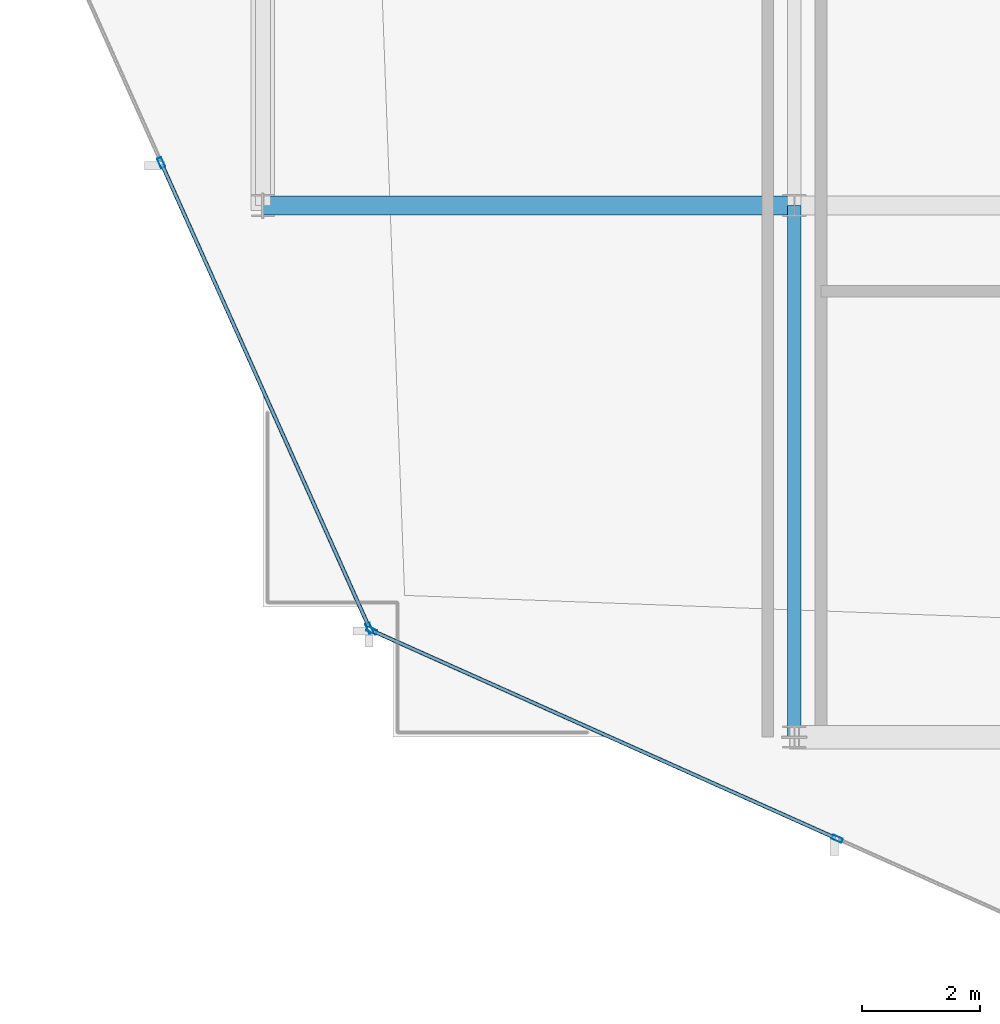
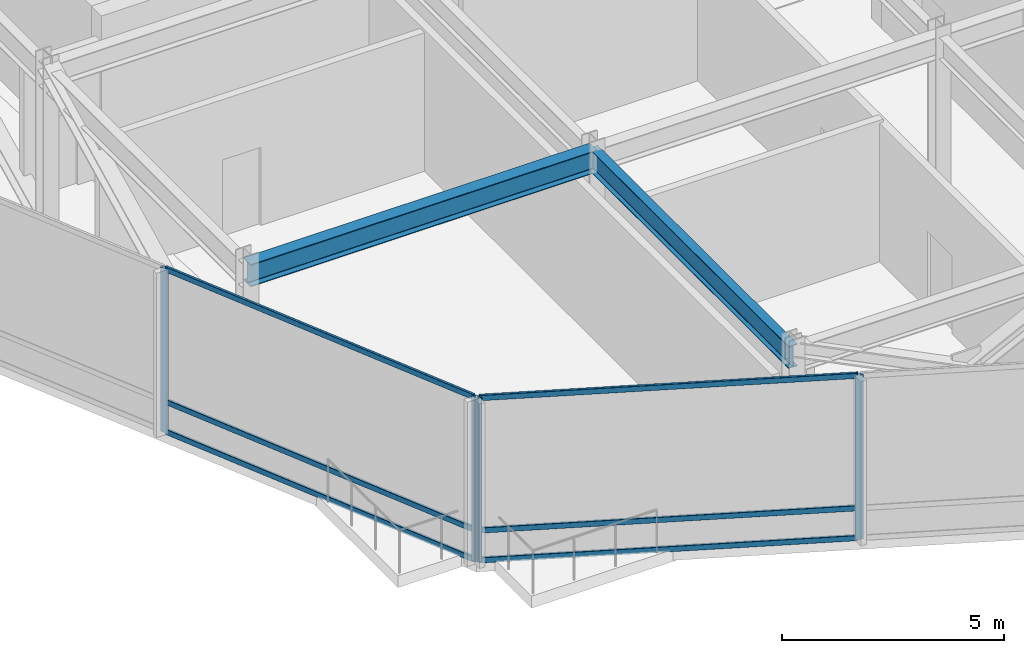
# One storey, part 2 of 23: 10 members, 2 beams, 2 elements without a shape of their own.
"""IFC4 building model written with IfcOpenShell, lengths in metres."""

from ifc_helpers import new_model, si_unit, direction, frame, origin, origin_2d, place, context, subcontext, project, spatial, hollow_rectangle, i_section, extrude, material, layer, layer_set, material_profile, profile_set, type_object, element, aggregate, save


model = new_model("IFC4")

# Units and contexts
model_context = context("Model", 3, precision=1e-05, world=origin(), true_north=direction((0.0, 1.0)))
body_context = subcontext(model_context, "Body", "Model", "MODEL_VIEW")
ifc_project = project(units=[si_unit("LENGTHUNIT", "METRE"), si_unit("AREAUNIT", "SQUARE_METRE"), si_unit("VOLUMEUNIT", "CUBIC_METRE"), si_unit("PLANEANGLEUNIT", "RADIAN"), si_unit("MASSUNIT", "GRAM", prefix="KILO")], contexts=[model_context])

# Site, building, storey
site_placement = place(None, origin())
site = spatial("IfcSite", under=ifc_project, at=site_placement, CompositionType="ELEMENT")
building_placement = place(site_placement, origin())
building = spatial("IfcBuilding", under=site, at=building_placement, Name="Solvaryn Broadcast Tower", CompositionType="ELEMENT")
storey_placement = place(building_placement, frame((0.0, 0.0, 285.199951171875)))
storey = spatial("IfcBuildingStorey", under=building, at=storey_placement, Name="L72", CompositionType="ELEMENT", Elevation=285.199951171875)

# Beams
ifc_material_1 = material(Name="Steel ASTM A992 Grade 50", Category="steel")
ifc_material_profile_1 = material_profile(ifc_material_1, i_section(OverallWidth=0.323974609375, OverallDepth=0.611083984375, WebThickness=0.0126953125, FlangeThickness=0.01904296875, FilletRadius=0.014892578125, at=origin_2d()))
ifc_profile_set_1 = profile_set([ifc_material_profile_1], Name="Steel ASTM A992 Grade 50")
beam_type_1 = type_object("IfcBeamType", Name="BM-B1-W24X104", PredefinedType="BEAM", material=ifc_profile_set_1)
beam_1_placement = place(storey_placement, frame((9.0, 18.0, 4.214599609375), z_axis=(1.0, 0.0, 0.0), x_axis=(0.0, 1.0, 0.0)))
element("IfcBeam", 1, at=beam_1_placement, inside=storey, type_object=beam_type_1, Name="L72 Primary Beam X (9-18 @ Y=18)", PredefinedType="BEAM", context=body_context, shape_type="SweptSolid", body=[
    extrude(i_section(OverallWidth=0.323974609375, OverallDepth=0.611083984375, WebThickness=0.0126953125, FlangeThickness=0.01904296875, FilletRadius=0.014892578125, at=origin_2d()), origin(), (0.0, 0.0, 1.0), 9.0),
])
ifc_material_2 = material(Name="Steel ASTM A992 Grade 50", Category="steel")
ifc_material_profile_2 = material_profile(ifc_material_2, i_section(OverallWidth=0.22802734375, OverallDepth=0.60791015625, WebThickness=0.01123046875, FlangeThickness=0.017333984375, FilletRadius=0.014892578125, at=origin_2d()))
ifc_profile_set_2 = profile_set([ifc_material_profile_2], Name="Steel ASTM A992 Grade 50")
beam_type_2 = type_object("IfcBeamType", Name="BM-B2-W24X76", PredefinedType="BEAM", material=ifc_profile_set_2)
beam_2_placement = place(storey_placement, frame((18.0, 9.0, 4.216064453125), z_axis=(0.0, 1.0, 0.0), x_axis=(-1.0, 0.0, 0.0)))
element("IfcBeam", 2, at=beam_2_placement, inside=storey, type_object=beam_type_2, Name="L72 Primary Beam Y (9-18 @ X=18)", PredefinedType="BEAM", context=body_context, shape_type="SweptSolid", body=[
    extrude(i_section(OverallWidth=0.22802734375, OverallDepth=0.60791015625, WebThickness=0.01123046875, FlangeThickness=0.017333984375, FilletRadius=0.014892578125, at=origin_2d()), origin(), (0.0, 0.0, 1.0), 9.0),
])

# Curtain wall, members
ifc_material_3 = material(Name="Aluminium and Terracotta Unitised Curtain Wall", Category="masonry")
ifc_layer = layer(ifc_material_3, 0.199951171875)
ifc_layer_set = layer_set([ifc_layer], Name="CW-SYS2-LOWMID")
curtain_wall_type = type_object("IfcCurtainWallType", Name="CW-SYS2-LOWMID", PredefinedType="NOTDEFINED", material=ifc_layer_set)
curtain_wall_1_placement = place(storey_placement, origin())
curtain_wall_1 = element("IfcCurtainWall", 3, at=curtain_wall_1_placement, inside=storey, type_object=curtain_wall_type, Name="L72 Curtain Wall DR2", PredefinedType="NOTDEFINED")
ifc_material_4 = material(Name="Anodised Aluminium 6063-T6", Category="aluminium")
ifc_material_profile_3 = material_profile(ifc_material_4, hollow_rectangle(XDim=0.074951171875, YDim=0.179931640625, WallThickness=0.00390625, InnerFilletRadius=0.00390625, OuterFilletRadius=0.008056640625, at=origin_2d()))
ifc_profile_set_3 = profile_set([ifc_material_profile_3], Name="Anodised Aluminium 6063-T6")
member_type_1 = type_object("IfcMemberType", Name="CW-MUL-180", PredefinedType="MULLION", material=ifc_profile_set_3)
member_1_placement = place(storey_placement, frame((7.277587890625, 18.7265625, 0.0), z_axis=(0.0, 0.0, 1.0), x_axis=(0.912773530574, 0.408466010682, 0.0)))
member_1 = element("IfcMember", 4, at=member_1_placement, type_object=member_type_1, Name="CWS2 mullion 2", PredefinedType="MULLION", context=body_context, shape_type="SweptSolid", body=[
    extrude(hollow_rectangle(XDim=0.074951171875, YDim=0.179931640625, WallThickness=0.00390625, InnerFilletRadius=0.00390625, OuterFilletRadius=0.008056640625, at=origin_2d()), origin(), (0.0, 0.0, 1.0), 4.52001953125),
])
member_2_placement = place(storey_placement, frame((10.8046875, 10.844482421875, 0.0), z_axis=(0.0, 0.0, 1.0), x_axis=(0.912773530574, 0.408466010682, 0.0)))
member_2 = element("IfcMember", 5, at=member_2_placement, type_object=member_type_1, Name="CWS2 mullion 3", PredefinedType="MULLION", context=body_context, shape_type="SweptSolid", body=[
    extrude(hollow_rectangle(XDim=0.074951171875, YDim=0.179931640625, WallThickness=0.00390625, InnerFilletRadius=0.00390625, OuterFilletRadius=0.008056640625, at=origin_2d()), origin(), (0.0, 0.0, 1.0), 4.52001953125),
])

curtain_wall_2_placement = place(storey_placement, origin())
curtain_wall_2 = element("IfcCurtainWall", 6, at=curtain_wall_2_placement, inside=storey, type_object=curtain_wall_type, Name="L72 Curtain Wall DR3", PredefinedType="NOTDEFINED")
member_3_placement = place(storey_placement, frame((10.844482421875, 10.8046875, 0.0), z_axis=(0.0, 0.0, 1.0), x_axis=(0.408466010682, 0.912773530574, 0.0)))
member_3 = element("IfcMember", 7, at=member_3_placement, type_object=member_type_1, Name="CWS2 mullion 1", PredefinedType="MULLION", context=body_context, shape_type="SweptSolid", body=[
    extrude(hollow_rectangle(XDim=0.074951171875, YDim=0.179931640625, WallThickness=0.00390625, InnerFilletRadius=0.00390625, OuterFilletRadius=0.008056640625, at=origin_2d()), origin(), (0.0, 0.0, 1.0), 4.52001953125),
])
member_4_placement = place(storey_placement, frame((18.7265625, 7.277587890625, 0.0), z_axis=(0.0, 0.0, 1.0), x_axis=(0.408466010682, 0.912773530574, 0.0)))
member_4 = element("IfcMember", 8, at=member_4_placement, type_object=member_type_1, Name="CWS2 mullion 2", PredefinedType="MULLION", context=body_context, shape_type="SweptSolid", body=[
    extrude(hollow_rectangle(XDim=0.074951171875, YDim=0.179931640625, WallThickness=0.00390625, InnerFilletRadius=0.00390625, OuterFilletRadius=0.008056640625, at=origin_2d()), origin(), (0.0, 0.0, 1.0), 4.52001953125),
])

# Member
ifc_material_5 = material(Name="Anodised Aluminium 6063-T6", Category="aluminium")
ifc_material_profile_4 = material_profile(ifc_material_5, hollow_rectangle(XDim=0.06494140625, YDim=0.14990234375, WallThickness=0.00390625, InnerFilletRadius=0.00390625, OuterFilletRadius=0.008056640625, at=origin_2d()))
ifc_profile_set_4 = profile_set([ifc_material_profile_4], Name="Anodised Aluminium 6063-T6")
member_type_2 = type_object("IfcMemberType", Name="CW-TRN-150", PredefinedType="USERDEFINED", material=ifc_profile_set_4)
member_5_placement = place(storey_placement, frame((7.289794921875, 18.69921875, 0.030029296875), z_axis=(0.408459074172, -0.91277663463, 0.0), x_axis=(0.91277663463, 0.408459074172, 0.0)))
member_5 = element("IfcMember", 9, at=member_5_placement, type_object=member_type_2, Name="CWS2 transom 2.1", ObjectType="TRANSOM", PredefinedType="USERDEFINED", context=body_context, shape_type="SweptSolid", body=[
    extrude(hollow_rectangle(XDim=0.06494140625, YDim=0.14990234375, WallThickness=0.00390625, InnerFilletRadius=0.00390625, OuterFilletRadius=0.008056640625, at=origin_2d()), origin(), (0.0, 0.0, 1.0), 8.575439453125),
])

member_6_placement = place(storey_placement, frame((7.289794921875, 18.69921875, 0.85009765625), z_axis=(0.408459074172, -0.91277663463, 0.0), x_axis=(0.91277663463, 0.408459074172, 0.0)))
member_6 = element("IfcMember", 10, at=member_6_placement, type_object=member_type_2, Name="CWS2 transom 2.2", ObjectType="TRANSOM", PredefinedType="USERDEFINED", context=body_context, shape_type="SweptSolid", body=[
    extrude(hollow_rectangle(XDim=0.06494140625, YDim=0.14990234375, WallThickness=0.00390625, InnerFilletRadius=0.00390625, OuterFilletRadius=0.008056640625, at=origin_2d()), origin(), (0.0, 0.0, 1.0), 8.575439453125),
])

member_7_placement = place(storey_placement, frame((7.289794921875, 18.69921875, 4.489990234375), z_axis=(0.408459074172, -0.91277663463, 0.0), x_axis=(0.91277663463, 0.408459074172, 0.0)))
member_7 = element("IfcMember", 11, at=member_7_placement, type_object=member_type_2, Name="CWS2 transom 2.3", ObjectType="TRANSOM", PredefinedType="USERDEFINED", context=body_context, shape_type="SweptSolid", body=[
    extrude(hollow_rectangle(XDim=0.06494140625, YDim=0.14990234375, WallThickness=0.00390625, InnerFilletRadius=0.00390625, OuterFilletRadius=0.008056640625, at=origin_2d()), origin(), (0.0, 0.0, 1.0), 8.575439453125),
])

aggregate(curtain_wall_1, [member_1, member_2, member_5, member_6, member_7])

member_8_placement = place(storey_placement, frame((10.871826171875, 10.79248046875, 0.030029296875), z_axis=(0.91277663463, -0.408459074172, 0.0), x_axis=(0.408459074172, 0.91277663463, 0.0)))
member_8 = element("IfcMember", 12, at=member_8_placement, type_object=member_type_2, Name="CWS2 transom 1.1", ObjectType="TRANSOM", PredefinedType="USERDEFINED", context=body_context, shape_type="SweptSolid", body=[
    extrude(hollow_rectangle(XDim=0.06494140625, YDim=0.14990234375, WallThickness=0.00390625, InnerFilletRadius=0.00390625, OuterFilletRadius=0.008056640625, at=origin_2d()), origin(), (0.0, 0.0, 1.0), 8.575439453125),
])

member_9_placement = place(storey_placement, frame((10.871826171875, 10.79248046875, 0.85009765625), z_axis=(0.91277663463, -0.408459074172, 0.0), x_axis=(0.408459074172, 0.91277663463, 0.0)))
member_9 = element("IfcMember", 13, at=member_9_placement, type_object=member_type_2, Name="CWS2 transom 1.2", ObjectType="TRANSOM", PredefinedType="USERDEFINED", context=body_context, shape_type="SweptSolid", body=[
    extrude(hollow_rectangle(XDim=0.06494140625, YDim=0.14990234375, WallThickness=0.00390625, InnerFilletRadius=0.00390625, OuterFilletRadius=0.008056640625, at=origin_2d()), origin(), (0.0, 0.0, 1.0), 8.575439453125),
])

member_10_placement = place(storey_placement, frame((10.871826171875, 10.79248046875, 4.489990234375), z_axis=(0.91277663463, -0.408459074172, 0.0), x_axis=(0.408459074172, 0.91277663463, 0.0)))
member_10 = element("IfcMember", 14, at=member_10_placement, type_object=member_type_2, Name="CWS2 transom 1.3", ObjectType="TRANSOM", PredefinedType="USERDEFINED", context=body_context, shape_type="SweptSolid", body=[
    extrude(hollow_rectangle(XDim=0.06494140625, YDim=0.14990234375, WallThickness=0.00390625, InnerFilletRadius=0.00390625, OuterFilletRadius=0.008056640625, at=origin_2d()), origin(), (0.0, 0.0, 1.0), 8.575439453125),
])

aggregate(curtain_wall_2, [member_3, member_4, member_8, member_9, member_10])

save(model, "model.ifc")
